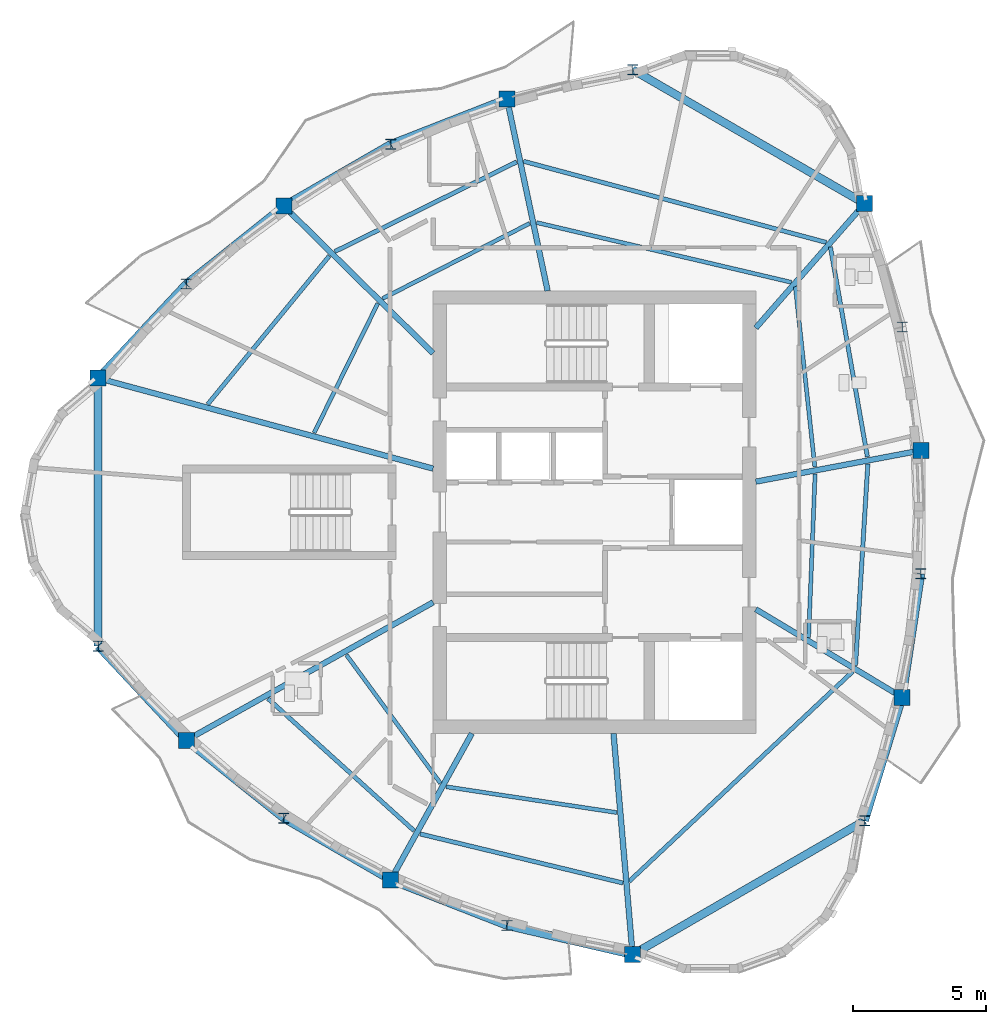
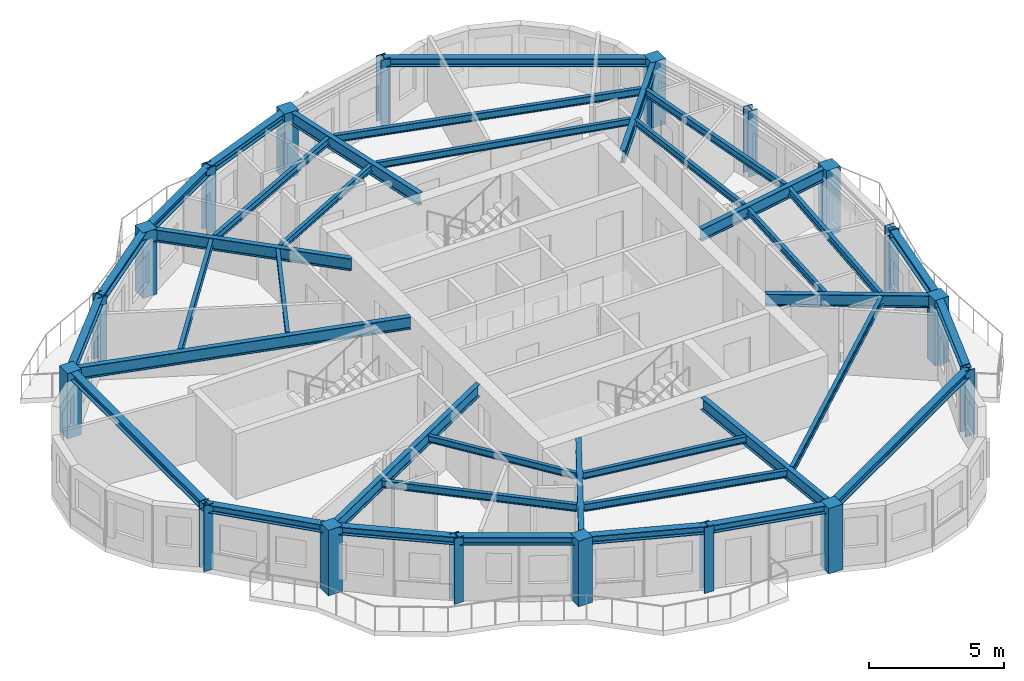
# One storey, part 1 of 12: 38 beams, 18 columns.
"""IFC4 building model written with IfcOpenShell, lengths in metres."""

from ifc_helpers import new_model, si_unit, direction, frame, origin, origin_2d, place, context, subcontext, project, spatial, rectangle, i_section, extrude, source, transform, mapped, material, material_profile, profile_set, type_object, element, save


model = new_model("IFC4")

# Units and contexts
model_context = context("Model", 3, precision=1e-05, world=origin(), true_north=direction((0.0, 1.0)))
body_context = subcontext(model_context, "Body", "Model", "MODEL_VIEW")
ifc_project = project(units=[si_unit("LENGTHUNIT", "METRE"), si_unit("AREAUNIT", "SQUARE_METRE"), si_unit("VOLUMEUNIT", "CUBIC_METRE"), si_unit("PLANEANGLEUNIT", "RADIAN"), si_unit("MASSUNIT", "GRAM", prefix="KILO")], contexts=[model_context])

# Site, building, storey
site_placement = place(None, origin())
site = spatial("IfcSite", under=ifc_project, at=site_placement, CompositionType="ELEMENT")
building_placement = place(site_placement, origin())
building = spatial("IfcBuilding", under=site, at=building_placement, Name="Qafzar Sky-Pleat Residences", CompositionType="ELEMENT")
storey_placement = place(building_placement, frame((0.0, 0.0, 198.800048828125)))
storey = spatial("IfcBuildingStorey", under=building, at=storey_placement, Name="L59", CompositionType="ELEMENT", Elevation=198.800048828125)

# Columns
ifc_material_1 = material(Name="Concrete C50/60", Category="concrete")
ifc_material_profile_1 = material_profile(ifc_material_1, rectangle(XDim=0.60009765625, YDim=0.60009765625, at=origin_2d()), Name="RC 600x600")
ifc_profile_set_1 = profile_set([ifc_material_profile_1], Name="Concrete C50/60")
column_type_1 = type_object("IfcColumnType", Name="COL-RC-600", PredefinedType="COLUMN", material=ifc_profile_set_1)
shared_shape_1 = source(origin(), body_context, "Body", "SweptSolid", [
    extrude(rectangle(XDim=0.60009765625, YDim=0.60009765625, at=origin_2d()), origin(), (0.0, 0.0, 1.0), 2.9599609375),
])
for number, where, z_axis, x_axis, name in (
    (1, (11.739990234375, 31.02294921875, 0.0), (0.0, 0.0, 1.0), (1.0, 0.0, 0.0), "L59 Perimeter Mega Column 1"),
    (2, (15.04443359375, 17.444580078125, 0.0), (0.0, 0.0, 1.0), (1.0, 0.0, 0.0), "L59 Perimeter Mega Column 3"),
    (3, (22.708740234375, 12.207275390625, 0.0), (0.0, 0.0, 1.0), (1.0, 0.0, 0.0), "L59 Perimeter Mega Column 5"),
    (4, (31.780029296875, 9.406982421875, 0.0), (0.0, 0.0, 1.0), (1.0, 0.0, 0.0), "L59 Perimeter Mega Column 7"),
    (5, (41.886962890625, 19.057861328125, 0.0), (0.0, 0.0, 1.0), (1.0, 0.0, 0.0), "L59 Perimeter Mega Column 9"),
    (6, (42.59033203125, 28.31396484375, 0.0), (0.0, 0.0, 1.0), (1.0, 0.0, 0.0), "L59 Perimeter Mega Column 11"),
    (7, (40.47998046875, 37.570068359375, 0.0), (0.0, 0.0, 1.0), (1.0, 0.0, 0.0), "L59 Perimeter Mega Column 13"),
    (8, (27.068603515625, 41.49755859375, 0.0), (0.0, 0.0, 1.0), (1.0, 0.0, 0.0), "L59 Perimeter Mega Column 15"),
    (9, (18.70068359375, 37.478515625, 0.0), (0.0, 0.0, 1.0), (1.0, 0.0, 0.0), "L59 Perimeter Mega Column 17"),
):
    element("IfcColumn", number, at=place(storey_placement, frame(where, z_axis=z_axis, x_axis=x_axis)), inside=storey, type_object=column_type_1, Name=name, PredefinedType="COLUMN", context=body_context, shape_type="MappedRepresentation", body=[
        mapped(shared_shape_1, transform((0.0, 0.0, 0.0), x_axis=(1.0, 0.0, 0.0), y_axis=(0.0, 1.0, 0.0), z_axis=(0.0, 0.0, 1.0), scale=1.0)),
    ])
ifc_material_2 = material(Name="Steel S355", Category="steel")
ifc_material_profile_2 = material_profile(ifc_material_2, i_section(OverallWidth=0.39794921875, OverallDepth=0.386962890625, WebThickness=0.01904296875, FlangeThickness=0.030029296875, FilletRadius=0.014892578125, at=origin_2d()), Name="HD 400x262")
ifc_profile_set_2 = profile_set([ifc_material_profile_2], Name="Steel S355")
column_type_2 = type_object("IfcColumnType", Name="COL-STL-HD262", PredefinedType="PILASTER", material=ifc_profile_set_2)
shared_shape_2 = source(origin(), body_context, "Body", "SweptSolid", [
    extrude(i_section(OverallWidth=0.39794921875, OverallDepth=0.386962890625, WebThickness=0.01904296875, FlangeThickness=0.030029296875, FilletRadius=0.014892578125, at=origin_2d()), origin(), (0.0, 0.0, 1.0), 2.9599609375),
])
for number, where, z_axis, x_axis, name in (
    (10, (11.739990234375, 20.97705078125, 0.0), (0.0, 0.0, 1.0), (1.0, 0.0, 0.0), "L59 Perimeter Mega Column 2"),
    (11, (18.70068359375, 14.521484375, 0.0), (0.0, 0.0, 1.0), (1.0, 0.0, 0.0), "L59 Perimeter Mega Column 4"),
    (12, (27.068603515625, 10.50244140625, 0.0), (0.0, 0.0, 1.0), (1.0, 0.0, 0.0), "L59 Perimeter Mega Column 6"),
    (13, (40.47998046875, 14.429931640625, 0.0), (0.0, 0.0, 1.0), (1.0, 0.0, 0.0), "L59 Perimeter Mega Column 8"),
    (14, (42.59033203125, 23.68603515625, 0.0), (0.0, 0.0, 1.0), (1.0, 0.0, 0.0), "L59 Perimeter Mega Column 10"),
    (15, (41.886962890625, 32.942138671875, 0.0), (0.0, 0.0, 1.0), (1.0, 0.0, 0.0), "L59 Perimeter Mega Column 12"),
    (16, (31.780029296875, 42.593017578125, 0.0), (0.0, 0.0, 1.0), (1.0, 0.0, 0.0), "L59 Perimeter Mega Column 14"),
    (17, (22.708740234375, 39.792724609375, 0.0), (0.0, 0.0, 1.0), (1.0, 0.0, 0.0), "L59 Perimeter Mega Column 16"),
    (18, (15.04443359375, 34.555419921875, 0.0), (0.0, 0.0, 1.0), (1.0, 0.0, 0.0), "L59 Perimeter Mega Column 18"),
):
    element("IfcColumn", number, at=place(storey_placement, frame(where, z_axis=z_axis, x_axis=x_axis)), inside=storey, type_object=column_type_2, Name=name, PredefinedType="PILASTER", context=body_context, shape_type="MappedRepresentation", body=[
        mapped(shared_shape_2, transform((0.0, 0.0, 0.0), x_axis=(1.0, 0.0, 0.0), y_axis=(0.0, 1.0, 0.0), z_axis=(0.0, 0.0, 1.0), scale=1.0)),
    ])

# Beams
ifc_material_profile_3 = material_profile(ifc_material_2, i_section(OverallWidth=0.300048828125, OverallDepth=0.360107421875, WebThickness=0.012451171875, FlangeThickness=0.0224609375, FilletRadius=0.027099609375, at=origin_2d()), Name="HEB 360")
ifc_profile_set_3 = profile_set([ifc_material_profile_3], Name="Steel S355")
beam_type_1 = type_object("IfcBeamType", Name="BM-SPAN-HEB360", PredefinedType="SPANDREL", material=ifc_profile_set_3)
shared_shape_3 = source(origin(), body_context, "Body", "SweptSolid", [
    extrude(i_section(OverallWidth=0.300048828125, OverallDepth=0.360107421875, WebThickness=0.012451171875, FlangeThickness=0.0224609375, FilletRadius=0.027099609375, at=origin_2d()), origin(), (0.0, 0.0, 1.0), 10.0458984375),
])
for number, where, z_axis, x_axis, name in (
    (19, (11.739990234375, 31.02294921875, 2.77783203125), (0.0, -1.0, 0.0), (1.0, 0.0, 0.0), "L59 Perimeter Spandrel Beam 1"),
    (20, (31.780029296875, 9.406982421875, 2.77783203125), (0.866024107753, 0.500002244785, 0.0), (-0.500002244785, 0.866024107753, 0.0), "L59 Perimeter Spandrel Beam 7"),
    (21, (40.47998046875, 37.570068359375, 2.77783203125), (-0.866024107753, 0.500002244785, 0.0), (-0.500002244785, -0.866024107753, 0.0), "L59 Perimeter Spandrel Beam 13"),
):
    element("IfcBeam", number, at=place(storey_placement, frame(where, z_axis=z_axis, x_axis=x_axis)), inside=storey, type_object=beam_type_1, Name=name, PredefinedType="SPANDREL", context=body_context, shape_type="MappedRepresentation", body=[
        mapped(shared_shape_3, transform((0.0, 0.0, 0.0), x_axis=(1.0, 0.0, 0.0), y_axis=(0.0, 1.0, 0.0), z_axis=(0.0, 0.0, 1.0), scale=1.0)),
    ])
shared_shape_4 = source(origin(), body_context, "Body", "SweptSolid", [
    extrude(i_section(OverallWidth=0.300048828125, OverallDepth=0.360107421875, WebThickness=0.012451171875, FlangeThickness=0.0224609375, FilletRadius=0.027099609375, at=origin_2d()), origin(), (0.0, 0.0, 1.0), 4.837158203125),
])
for number, where, z_axis, x_axis, name in (
    (22, (11.739990234375, 20.97705078125, 2.77783203125), (0.683143236152, -0.730284409596, 0.0), (0.730284409596, 0.683143236152, 0.0), "L59 Perimeter Spandrel Beam 2"),
    (23, (27.068603515625, 10.50244140625, 2.77783203125), (0.974018125748, -0.226470065822, 0.0), (0.226470065822, 0.974018125748, 0.0), "L59 Perimeter Spandrel Beam 6"),
    (24, (40.47998046875, 14.429931640625, 2.77783203125), (0.290874397057, 0.956761247719, 0.0), (-0.956761247719, 0.290874397057, 0.0), "L59 Perimeter Spandrel Beam 8"),
    (25, (15.04443359375, 34.555419921875, 2.77783203125), (-0.683143236152, -0.730284409596, 0.0), (0.730284409596, -0.683143236152, 0.0), "L59 Perimeter Spandrel Beam 18"),
):
    element("IfcBeam", number, at=place(storey_placement, frame(where, z_axis=z_axis, x_axis=x_axis)), inside=storey, type_object=beam_type_1, Name=name, PredefinedType="SPANDREL", context=body_context, shape_type="MappedRepresentation", body=[
        mapped(shared_shape_4, transform((0.0, 0.0, 0.0), x_axis=(1.0, 0.0, 0.0), y_axis=(0.0, 1.0, 0.0), z_axis=(0.0, 0.0, 1.0), scale=1.0)),
    ])
shared_shape_5 = source(origin(), body_context, "Body", "SweptSolid", [
    extrude(i_section(OverallWidth=0.300048828125, OverallDepth=0.360107421875, WebThickness=0.012451171875, FlangeThickness=0.0224609375, FilletRadius=0.027099609375, at=origin_2d()), origin(), (0.0, 0.0, 1.0), 4.68115234375),
])
for number, where, z_axis, x_axis, name in (
    (26, (15.04443359375, 17.444580078125, 2.77783203125), (0.781067211918, -0.624446963695, 0.0), (0.624446963695, 0.781067211918, 0.0), "L59 Perimeter Spandrel Beam 3"),
    (27, (18.70068359375, 37.478515625, 2.77783203125), (-0.781067211918, -0.624446963695, 0.0), (0.624446963695, -0.781067211918, 0.0), "L59 Perimeter Spandrel Beam 17"),
):
    element("IfcBeam", number, at=place(storey_placement, frame(where, z_axis=z_axis, x_axis=x_axis)), inside=storey, type_object=beam_type_1, Name=name, PredefinedType="SPANDREL", context=body_context, shape_type="MappedRepresentation", body=[
        mapped(shared_shape_5, transform((0.0, 0.0, 0.0), x_axis=(1.0, 0.0, 0.0), y_axis=(0.0, 1.0, 0.0), z_axis=(0.0, 0.0, 1.0), scale=1.0)),
    ])
shared_shape_6 = source(origin(), body_context, "Body", "SweptSolid", [
    extrude(i_section(OverallWidth=0.300048828125, OverallDepth=0.360107421875, WebThickness=0.012451171875, FlangeThickness=0.0224609375, FilletRadius=0.027099609375, at=origin_2d()), origin(), (0.0, 0.0, 1.0), 4.628173828125),
])
for number, where, z_axis, x_axis, name in (
    (28, (18.70068359375, 14.521484375, 2.77783203125), (0.866010770261, -0.500025345149, 0.0), (0.500025345149, 0.866010770261, 0.0), "L59 Perimeter Spandrel Beam 4"),
    (29, (22.708740234375, 39.792724609375, 2.77783203125), (-0.866010770261, -0.500025345149, 0.0), (0.500025345149, -0.866010770261, 0.0), "L59 Perimeter Spandrel Beam 16"),
):
    element("IfcBeam", number, at=place(storey_placement, frame(where, z_axis=z_axis, x_axis=x_axis)), inside=storey, type_object=beam_type_1, Name=name, PredefinedType="SPANDREL", context=body_context, shape_type="MappedRepresentation", body=[
        mapped(shared_shape_6, transform((0.0, 0.0, 0.0), x_axis=(1.0, 0.0, 0.0), y_axis=(0.0, 1.0, 0.0), z_axis=(0.0, 0.0, 1.0), scale=1.0)),
    ])
shared_shape_7 = source(origin(), body_context, "Body", "SweptSolid", [
    extrude(i_section(OverallWidth=0.300048828125, OverallDepth=0.360107421875, WebThickness=0.012451171875, FlangeThickness=0.0224609375, FilletRadius=0.027099609375, at=origin_2d()), origin(), (0.0, 0.0, 1.0), 4.681396484375),
])
for number, where, z_axis, x_axis, name in (
    (30, (22.708740234375, 12.207275390625, 2.77783203125), (0.931329701628, -0.36417713666, 0.0), (0.36417713666, 0.931329701628, 0.0), "L59 Perimeter Spandrel Beam 5"),
    (31, (41.886962890625, 19.057861328125, 2.77783203125), (0.150250295924, 0.988647990224, 0.0), (-0.988647990224, 0.150250295924, 0.0), "L59 Perimeter Spandrel Beam 9"),
    (32, (27.068603515625, 41.49755859375, 2.77783203125), (-0.931329701628, -0.36417713666, 0.0), (0.36417713666, -0.931329701628, 0.0), "L59 Perimeter Spandrel Beam 15"),
):
    element("IfcBeam", number, at=place(storey_placement, frame(where, z_axis=z_axis, x_axis=x_axis)), inside=storey, type_object=beam_type_1, Name=name, PredefinedType="SPANDREL", context=body_context, shape_type="MappedRepresentation", body=[
        mapped(shared_shape_7, transform((0.0, 0.0, 0.0), x_axis=(1.0, 0.0, 0.0), y_axis=(0.0, 1.0, 0.0), z_axis=(0.0, 0.0, 1.0), scale=1.0)),
    ])
ifc_material_profile_4 = material_profile(ifc_material_2, i_section(OverallWidth=0.2099609375, OverallDepth=0.550048828125, WebThickness=0.010986328125, FlangeThickness=0.01708984375, FilletRadius=0.02392578125, at=origin_2d()), Name="IPE 550")
ifc_profile_set_4 = profile_set([ifc_material_profile_4], Name="Steel S355")
beam_type_2 = type_object("IfcBeamType", Name="BM-SEC-IPE550", PredefinedType="BEAM", material=ifc_profile_set_4)
shared_shape_8 = source(origin(), body_context, "Body", "SweptSolid", [
    extrude(i_section(OverallWidth=0.2099609375, OverallDepth=0.550048828125, WebThickness=0.010986328125, FlangeThickness=0.01708984375, FilletRadius=0.02392578125, at=origin_2d()), origin(), (0.0, 0.0, 1.0), 13.009521484375),
])
beam_1_placement = place(storey_placement, frame((11.739990234375, 31.02294921875, 2.682861328125), z_axis=(0.965449953427, -0.260588540475, 0.0), x_axis=(0.260588540475, 0.965449953427, 0.0)))
element("IfcBeam", 33, at=beam_1_placement, inside=storey, type_object=beam_type_2, Name="L59 Radial Floor Girder 1", PredefinedType="BEAM", context=body_context, shape_type="MappedRepresentation", body=[
    mapped(shared_shape_8, transform((0.0, 0.0, 0.0), x_axis=(1.0, 0.0, 0.0), y_axis=(0.0, 1.0, 0.0), z_axis=(0.0, 0.0, 1.0), scale=1.0)),
])
shared_shape_9 = source(origin(), body_context, "Body", "SweptSolid", [
    extrude(i_section(OverallWidth=0.2099609375, OverallDepth=0.550048828125, WebThickness=0.010986328125, FlangeThickness=0.01708984375, FilletRadius=0.02392578125, at=origin_2d()), origin(), (0.0, 0.0, 1.0), 10.603515625),
])
beam_2_placement = place(storey_placement, frame((15.04443359375, 17.444580078125, 2.682861328125), z_axis=(0.872890126958, 0.487916823095, 0.0), x_axis=(-0.487916823095, 0.872890126958, 0.0)))
element("IfcBeam", 34, at=beam_2_placement, inside=storey, type_object=beam_type_2, Name="L59 Radial Floor Girder 3", PredefinedType="BEAM", context=body_context, shape_type="MappedRepresentation", body=[
    mapped(shared_shape_9, transform((0.0, 0.0, 0.0), x_axis=(1.0, 0.0, 0.0), y_axis=(0.0, 1.0, 0.0), z_axis=(0.0, 0.0, 1.0), scale=1.0)),
])
shared_shape_10 = source(origin(), body_context, "Body", "SweptSolid", [
    extrude(i_section(OverallWidth=0.2099609375, OverallDepth=0.550048828125, WebThickness=0.010986328125, FlangeThickness=0.01708984375, FilletRadius=0.02392578125, at=origin_2d()), origin(), (0.0, 0.0, 1.0), 6.279296875),
])
beam_3_placement = place(storey_placement, frame((22.708740234375, 12.207275390625, 2.682861328125), z_axis=(0.484606022079, 0.874732532472, 0.0), x_axis=(-0.874732532472, 0.484606022079, 0.0)))
element("IfcBeam", 35, at=beam_3_placement, inside=storey, type_object=beam_type_2, Name="L59 Radial Floor Girder 5", PredefinedType="BEAM", context=body_context, shape_type="MappedRepresentation", body=[
    mapped(shared_shape_10, transform((0.0, 0.0, 0.0), x_axis=(1.0, 0.0, 0.0), y_axis=(0.0, 1.0, 0.0), z_axis=(0.0, 0.0, 1.0), scale=1.0)),
])
shared_shape_11 = source(origin(), body_context, "Body", "SweptSolid", [
    extrude(i_section(OverallWidth=0.2099609375, OverallDepth=0.550048828125, WebThickness=0.010986328125, FlangeThickness=0.01708984375, FilletRadius=0.02392578125, at=origin_2d()), origin(), (0.0, 0.0, 1.0), 8.32373046875),
])
beam_4_placement = place(storey_placement, frame((31.780029296875, 9.406982421875, 2.682861328125), z_axis=(-0.085880310608, 0.996305461317, 0.0), x_axis=(-0.996305461317, -0.085880310608, 0.0)))
element("IfcBeam", 36, at=beam_4_placement, inside=storey, type_object=beam_type_2, Name="L59 Radial Floor Girder 7", PredefinedType="BEAM", context=body_context, shape_type="MappedRepresentation", body=[
    mapped(shared_shape_11, transform((0.0, 0.0, 0.0), x_axis=(1.0, 0.0, 0.0), y_axis=(0.0, 1.0, 0.0), z_axis=(0.0, 0.0, 1.0), scale=1.0)),
])
shared_shape_12 = source(origin(), body_context, "Body", "SweptSolid", [
    extrude(i_section(OverallWidth=0.2099609375, OverallDepth=0.550048828125, WebThickness=0.010986328125, FlangeThickness=0.01708984375, FilletRadius=0.02392578125, at=origin_2d()), origin(), (0.0, 0.0, 1.0), 6.40380859375),
])
beam_5_placement = place(storey_placement, frame((41.886962890625, 19.057861328125, 2.682861328125), z_axis=(-0.856836272207, 0.515588598235, 0.0), x_axis=(-0.515588598235, -0.856836272207, 0.0)))
element("IfcBeam", 37, at=beam_5_placement, inside=storey, type_object=beam_type_2, Name="L59 Radial Floor Girder 9", PredefinedType="BEAM", context=body_context, shape_type="MappedRepresentation", body=[
    mapped(shared_shape_12, transform((0.0, 0.0, 0.0), x_axis=(1.0, 0.0, 0.0), y_axis=(0.0, 1.0, 0.0), z_axis=(0.0, 0.0, 1.0), scale=1.0)),
])
shared_shape_13 = source(origin(), body_context, "Body", "SweptSolid", [
    extrude(i_section(OverallWidth=0.2099609375, OverallDepth=0.550048828125, WebThickness=0.010986328125, FlangeThickness=0.01708984375, FilletRadius=0.02392578125, at=origin_2d()), origin(), (0.0, 0.0, 1.0), 6.300048828125),
])
beam_6_placement = place(storey_placement, frame((42.59033203125, 28.31396484375, 2.682861328125), z_axis=(-0.982599120298, -0.185738980265, 0.0), x_axis=(0.185738980265, -0.982599120298, 0.0)))
element("IfcBeam", 38, at=beam_6_placement, inside=storey, type_object=beam_type_2, Name="L59 Radial Floor Girder 11", PredefinedType="BEAM", context=body_context, shape_type="MappedRepresentation", body=[
    mapped(shared_shape_13, transform((0.0, 0.0, 0.0), x_axis=(1.0, 0.0, 0.0), y_axis=(0.0, 1.0, 0.0), z_axis=(0.0, 0.0, 1.0), scale=1.0)),
])
shared_shape_14 = source(origin(), body_context, "Body", "SweptSolid", [
    extrude(i_section(OverallWidth=0.2099609375, OverallDepth=0.550048828125, WebThickness=0.010986328125, FlangeThickness=0.01708984375, FilletRadius=0.02392578125, at=origin_2d()), origin(), (0.0, 0.0, 1.0), 6.193603515625),
])
beam_7_placement = place(storey_placement, frame((40.47998046875, 37.570068359375, 2.682861328125), z_axis=(-0.658747358269, -0.752364218961, 0.0), x_axis=(0.752364218961, -0.658747358269, 0.0)))
element("IfcBeam", 39, at=beam_7_placement, inside=storey, type_object=beam_type_2, Name="L59 Radial Floor Girder 13", PredefinedType="BEAM", context=body_context, shape_type="MappedRepresentation", body=[
    mapped(shared_shape_14, transform((0.0, 0.0, 0.0), x_axis=(1.0, 0.0, 0.0), y_axis=(0.0, 1.0, 0.0), z_axis=(0.0, 0.0, 1.0), scale=1.0)),
])
shared_shape_15 = source(origin(), body_context, "Body", "SweptSolid", [
    extrude(i_section(OverallWidth=0.2099609375, OverallDepth=0.550048828125, WebThickness=0.010986328125, FlangeThickness=0.01708984375, FilletRadius=0.02392578125, at=origin_2d()), origin(), (0.0, 0.0, 1.0), 7.357177734375),
])
beam_8_placement = place(storey_placement, frame((27.068603515625, 41.49755859375, 2.682861328125), z_axis=(0.207137560617, -0.978311827068, 0.0), x_axis=(0.978311827068, 0.207137560617, 0.0)))
element("IfcBeam", 40, at=beam_8_placement, inside=storey, type_object=beam_type_2, Name="L59 Radial Floor Girder 15", PredefinedType="BEAM", context=body_context, shape_type="MappedRepresentation", body=[
    mapped(shared_shape_15, transform((0.0, 0.0, 0.0), x_axis=(1.0, 0.0, 0.0), y_axis=(0.0, 1.0, 0.0), z_axis=(0.0, 0.0, 1.0), scale=1.0)),
])
shared_shape_16 = source(origin(), body_context, "Body", "SweptSolid", [
    extrude(i_section(OverallWidth=0.2099609375, OverallDepth=0.550048828125, WebThickness=0.010986328125, FlangeThickness=0.01708984375, FilletRadius=0.02392578125, at=origin_2d()), origin(), (0.0, 0.0, 1.0), 7.86083984375),
])
beam_9_placement = place(storey_placement, frame((18.70068359375, 37.478515625, 2.682861328125), z_axis=(0.712320728381, -0.70185410159, 0.0), x_axis=(0.70185410159, 0.712320728381, 0.0)))
element("IfcBeam", 41, at=beam_9_placement, inside=storey, type_object=beam_type_2, Name="L59 Radial Floor Girder 17", PredefinedType="BEAM", context=body_context, shape_type="MappedRepresentation", body=[
    mapped(shared_shape_16, transform((0.0, 0.0, 0.0), x_axis=(1.0, 0.0, 0.0), y_axis=(0.0, 1.0, 0.0), z_axis=(0.0, 0.0, 1.0), scale=1.0)),
])
ifc_material_profile_5 = material_profile(ifc_material_2, i_section(OverallWidth=0.159912109375, OverallDepth=0.330078125, WebThickness=0.007568359375, FlangeThickness=0.011474609375, FilletRadius=0.01806640625, at=origin_2d()), Name="IPE 330")
ifc_profile_set_5 = profile_set([ifc_material_profile_5], Name="Steel S355")
beam_type_3 = type_object("IfcBeamType", Name="BM-JST-IPE330", PredefinedType="JOIST", material=ifc_profile_set_5)
shared_shape_17 = source(origin(), body_context, "Body", "SweptSolid", [
    extrude(i_section(OverallWidth=0.159912109375, OverallDepth=0.330078125, WebThickness=0.007568359375, FlangeThickness=0.011474609375, FilletRadius=0.01806640625, at=origin_2d()), origin(), (0.0, 0.0, 1.0), 7.384521484375),
])
beam_10_placement = place(storey_placement, frame((18.1064453125, 19.009521484375, 2.79296875), z_axis=(0.741565541832, -0.670880426877, 0.0), x_axis=(0.670880426877, 0.741565541832, 0.0)))
element("IfcBeam", 42, at=beam_10_placement, inside=storey, type_object=beam_type_3, Name="L59 Outer Secondary Floor Joist 2", PredefinedType="JOIST", context=body_context, shape_type="MappedRepresentation", body=[
    mapped(shared_shape_17, transform((0.0, 0.0, 0.0), x_axis=(1.0, 0.0, 0.0), y_axis=(0.0, 1.0, 0.0), z_axis=(0.0, 0.0, 1.0), scale=1.0)),
])
shared_shape_18 = source(origin(), body_context, "Body", "SweptSolid", [
    extrude(i_section(OverallWidth=0.159912109375, OverallDepth=0.330078125, WebThickness=0.007568359375, FlangeThickness=0.011474609375, FilletRadius=0.01806640625, at=origin_2d()), origin(), (0.0, 0.0, 1.0), 7.825927734375),
])
beam_11_placement = place(storey_placement, frame((23.813720703125, 13.93310546875, 2.79296875), z_axis=(0.971949803175, -0.235188392802, 0.0), x_axis=(0.235188392802, 0.971949803175, 0.0)))
element("IfcBeam", 43, at=beam_11_placement, inside=storey, type_object=beam_type_3, Name="L59 Outer Secondary Floor Joist 3", PredefinedType="JOIST", context=body_context, shape_type="MappedRepresentation", body=[
    mapped(shared_shape_18, transform((0.0, 0.0, 0.0), x_axis=(1.0, 0.0, 0.0), y_axis=(0.0, 1.0, 0.0), z_axis=(0.0, 0.0, 1.0), scale=1.0)),
])
shared_shape_19 = source(origin(), body_context, "Body", "SweptSolid", [
    extrude(i_section(OverallWidth=0.159912109375, OverallDepth=0.330078125, WebThickness=0.007568359375, FlangeThickness=0.011474609375, FilletRadius=0.01806640625, at=origin_2d()), origin(), (0.0, 0.0, 1.0), 11.49755859375),
])
beam_12_placement = place(storey_placement, frame((31.649658203125, 12.1533203125, 2.79296875), z_axis=(0.729123199787, 0.684382465828, 0.0), x_axis=(-0.684382465828, 0.729123199787, 0.0)))
element("IfcBeam", 44, at=beam_12_placement, inside=storey, type_object=beam_type_3, Name="L59 Outer Secondary Floor Joist 4", PredefinedType="JOIST", context=body_context, shape_type="MappedRepresentation", body=[
    mapped(shared_shape_19, transform((0.0, 0.0, 0.0), x_axis=(1.0, 0.0, 0.0), y_axis=(0.0, 1.0, 0.0), z_axis=(0.0, 0.0, 1.0), scale=1.0)),
])
shared_shape_20 = source(origin(), body_context, "Body", "SweptSolid", [
    extrude(i_section(OverallWidth=0.159912109375, OverallDepth=0.330078125, WebThickness=0.007568359375, FlangeThickness=0.011474609375, FilletRadius=0.01806640625, at=origin_2d()), origin(), (0.0, 0.0, 1.0), 7.569580078125),
])
beam_13_placement = place(storey_placement, frame((40.139404296875, 20.249267578125, 2.79296875), z_axis=(0.061022845874, 0.998136369582, 0.0), x_axis=(-0.998136369582, 0.061022845874, 0.0)))
element("IfcBeam", 45, at=beam_13_placement, inside=storey, type_object=beam_type_3, Name="L59 Outer Secondary Floor Joist 5", PredefinedType="JOIST", context=body_context, shape_type="MappedRepresentation", body=[
    mapped(shared_shape_20, transform((0.0, 0.0, 0.0), x_axis=(1.0, 0.0, 0.0), y_axis=(0.0, 1.0, 0.0), z_axis=(0.0, 0.0, 1.0), scale=1.0)),
])
shared_shape_21 = source(origin(), body_context, "Body", "SweptSolid", [
    extrude(i_section(OverallWidth=0.159912109375, OverallDepth=0.330078125, WebThickness=0.007568359375, FlangeThickness=0.011474609375, FilletRadius=0.01806640625, at=origin_2d()), origin(), (0.0, 0.0, 1.0), 7.994873046875),
])
beam_14_placement = place(storey_placement, frame((40.5859375, 28.072509765625, 2.79296875), z_axis=(-0.173632033155, 0.984810599589, 0.0), x_axis=(-0.984810599589, -0.173632033155, 0.0)))
element("IfcBeam", 46, at=beam_14_placement, inside=storey, type_object=beam_type_3, Name="L59 Outer Secondary Floor Joist 6", PredefinedType="JOIST", context=body_context, shape_type="MappedRepresentation", body=[
    mapped(shared_shape_21, transform((0.0, 0.0, 0.0), x_axis=(1.0, 0.0, 0.0), y_axis=(0.0, 1.0, 0.0), z_axis=(0.0, 0.0, 1.0), scale=1.0)),
])
shared_shape_22 = source(origin(), body_context, "Body", "SweptSolid", [
    extrude(i_section(OverallWidth=0.159912109375, OverallDepth=0.330078125, WebThickness=0.007568359375, FlangeThickness=0.011474609375, FilletRadius=0.01806640625, at=origin_2d()), origin(), (0.0, 0.0, 1.0), 11.758544921875),
])
beam_15_placement = place(storey_placement, frame((39.0439453125, 36.114013671875, 2.79296875), z_axis=(-0.965884269776, 0.258974086348, 0.0), x_axis=(-0.258974086348, -0.965884269776, 0.0)))
element("IfcBeam", 47, at=beam_15_placement, inside=storey, type_object=beam_type_3, Name="L59 Outer Secondary Floor Joist 7", PredefinedType="JOIST", context=body_context, shape_type="MappedRepresentation", body=[
    mapped(shared_shape_22, transform((0.0, 0.0, 0.0), x_axis=(1.0, 0.0, 0.0), y_axis=(0.0, 1.0, 0.0), z_axis=(0.0, 0.0, 1.0), scale=1.0)),
])
shared_shape_23 = source(origin(), body_context, "Body", "SweptSolid", [
    extrude(i_section(OverallWidth=0.159912109375, OverallDepth=0.330078125, WebThickness=0.007568359375, FlangeThickness=0.011474609375, FilletRadius=0.01806640625, at=origin_2d()), origin(), (0.0, 0.0, 1.0), 7.60498046875),
])
beam_16_placement = place(storey_placement, frame((27.43505859375, 39.134521484375, 2.79296875), z_axis=(-0.896987020622, -0.442056879638, 0.0), x_axis=(0.442056879638, -0.896987020622, 0.0)))
element("IfcBeam", 48, at=beam_16_placement, inside=storey, type_object=beam_type_3, Name="L59 Outer Secondary Floor Joist 8", PredefinedType="JOIST", context=body_context, shape_type="MappedRepresentation", body=[
    mapped(shared_shape_23, transform((0.0, 0.0, 0.0), x_axis=(1.0, 0.0, 0.0), y_axis=(0.0, 1.0, 0.0), z_axis=(0.0, 0.0, 1.0), scale=1.0)),
])
shared_shape_24 = source(origin(), body_context, "Body", "SweptSolid", [
    extrude(i_section(OverallWidth=0.159912109375, OverallDepth=0.330078125, WebThickness=0.007568359375, FlangeThickness=0.011474609375, FilletRadius=0.01806640625, at=origin_2d()), origin(), (0.0, 0.0, 1.0), 7.197021484375),
])
beam_17_placement = place(storey_placement, frame((20.406982421875, 35.608642578125, 2.79296875), z_axis=(-0.633913651729, -0.773403828638, 0.0), x_axis=(0.773403828638, -0.633913651729, 0.0)))
element("IfcBeam", 49, at=beam_17_placement, inside=storey, type_object=beam_type_3, Name="L59 Outer Secondary Floor Joist 9", PredefinedType="JOIST", context=body_context, shape_type="MappedRepresentation", body=[
    mapped(shared_shape_24, transform((0.0, 0.0, 0.0), x_axis=(1.0, 0.0, 0.0), y_axis=(0.0, 1.0, 0.0), z_axis=(0.0, 0.0, 1.0), scale=1.0)),
])
ifc_material_profile_6 = material_profile(ifc_material_2, i_section(OverallWidth=0.14990234375, OverallDepth=0.300048828125, WebThickness=0.007080078125, FlangeThickness=0.0107421875, FilletRadius=0.014892578125, at=origin_2d()), Name="IPE 300")
ifc_profile_set_6 = profile_set([ifc_material_profile_6], Name="Steel S355")
beam_type_4 = type_object("IfcBeamType", Name="BM-JST-IPE300", PredefinedType="JOIST", material=ifc_profile_set_6)
shared_shape_25 = source(origin(), body_context, "Body", "SweptSolid", [
    extrude(i_section(OverallWidth=0.14990234375, OverallDepth=0.300048828125, WebThickness=0.007080078125, FlangeThickness=0.0107421875, FilletRadius=0.014892578125, at=origin_2d()), origin(), (0.0, 0.0, 1.0), 5.9697265625),
])
beam_18_placement = place(storey_placement, frame((21.0478515625, 20.646728515625, 2.807861328125), z_axis=(0.591083495716, -0.806610377501, 0.0), x_axis=(0.806610377501, 0.591083495716, 0.0)))
element("IfcBeam", 50, at=beam_18_placement, inside=storey, type_object=beam_type_4, Name="L59 Inner Secondary Floor Joist 2", PredefinedType="JOIST", context=body_context, shape_type="MappedRepresentation", body=[
    mapped(shared_shape_25, transform((0.0, 0.0, 0.0), x_axis=(1.0, 0.0, 0.0), y_axis=(0.0, 1.0, 0.0), z_axis=(0.0, 0.0, 1.0), scale=1.0)),
])
shared_shape_26 = source(origin(), body_context, "Body", "SweptSolid", [
    extrude(i_section(OverallWidth=0.14990234375, OverallDepth=0.300048828125, WebThickness=0.007080078125, FlangeThickness=0.0107421875, FilletRadius=0.014892578125, at=origin_2d()), origin(), (0.0, 0.0, 1.0), 6.47216796875),
])
beam_19_placement = place(storey_placement, frame((24.789794921875, 15.702392578125, 2.807861328125), z_axis=(0.988757453477, -0.149528252159, 0.0), x_axis=(0.149528252159, 0.988757453477, 0.0)))
element("IfcBeam", 51, at=beam_19_placement, inside=storey, type_object=beam_type_4, Name="L59 Inner Secondary Floor Joist 3", PredefinedType="JOIST", context=body_context, shape_type="MappedRepresentation", body=[
    mapped(shared_shape_26, transform((0.0, 0.0, 0.0), x_axis=(1.0, 0.0, 0.0), y_axis=(0.0, 1.0, 0.0), z_axis=(0.0, 0.0, 1.0), scale=1.0)),
])
shared_shape_27 = source(origin(), body_context, "Body", "SweptSolid", [
    extrude(i_section(OverallWidth=0.14990234375, OverallDepth=0.300048828125, WebThickness=0.007080078125, FlangeThickness=0.0107421875, FilletRadius=0.014892578125, at=origin_2d()), origin(), (0.0, 0.0, 1.0), 6.129150390625),
])
beam_20_placement = place(storey_placement, frame((38.380615234375, 21.305908203125, 2.807861328125), z_axis=(0.039594201598, 0.999215842148, 0.0), x_axis=(-0.999215842148, 0.039594201598, 0.0)))
element("IfcBeam", 52, at=beam_20_placement, inside=storey, type_object=beam_type_4, Name="L59 Inner Secondary Floor Joist 5", PredefinedType="JOIST", context=body_context, shape_type="MappedRepresentation", body=[
    mapped(shared_shape_27, transform((0.0, 0.0, 0.0), x_axis=(1.0, 0.0, 0.0), y_axis=(0.0, 1.0, 0.0), z_axis=(0.0, 0.0, 1.0), scale=1.0)),
])
shared_shape_28 = source(origin(), body_context, "Body", "SweptSolid", [
    extrude(i_section(OverallWidth=0.14990234375, OverallDepth=0.300048828125, WebThickness=0.007080078125, FlangeThickness=0.0107421875, FilletRadius=0.014892578125, at=origin_2d()), origin(), (0.0, 0.0, 1.0), 6.793701171875),
])
beam_21_placement = place(storey_placement, frame((38.614013671875, 27.69921875, 2.807861328125), z_axis=(-0.107555763992, 0.994199053325, 0.0), x_axis=(-0.994199053325, -0.107555763992, 0.0)))
element("IfcBeam", 53, at=beam_21_placement, inside=storey, type_object=beam_type_4, Name="L59 Inner Secondary Floor Joist 6", PredefinedType="JOIST", context=body_context, shape_type="MappedRepresentation", body=[
    mapped(shared_shape_28, transform((0.0, 0.0, 0.0), x_axis=(1.0, 0.0, 0.0), y_axis=(0.0, 1.0, 0.0), z_axis=(0.0, 0.0, 1.0), scale=1.0)),
])
shared_shape_29 = source(origin(), body_context, "Body", "SweptSolid", [
    extrude(i_section(OverallWidth=0.14990234375, OverallDepth=0.300048828125, WebThickness=0.007080078125, FlangeThickness=0.0107421875, FilletRadius=0.014892578125, at=origin_2d()), origin(), (0.0, 0.0, 1.0), 9.8212890625),
])
beam_22_placement = place(storey_placement, frame((37.7373046875, 34.618408203125, 2.807861328125), z_axis=(-0.973597150025, 0.228273058997, 0.0), x_axis=(-0.228273058997, -0.973597150025, 0.0)))
element("IfcBeam", 54, at=beam_22_placement, inside=storey, type_object=beam_type_4, Name="L59 Inner Secondary Floor Joist 7", PredefinedType="JOIST", context=body_context, shape_type="MappedRepresentation", body=[
    mapped(shared_shape_29, transform((0.0, 0.0, 0.0), x_axis=(1.0, 0.0, 0.0), y_axis=(0.0, 1.0, 0.0), z_axis=(0.0, 0.0, 1.0), scale=1.0)),
])
shared_shape_30 = source(origin(), body_context, "Body", "SweptSolid", [
    extrude(i_section(OverallWidth=0.14990234375, OverallDepth=0.300048828125, WebThickness=0.007080078125, FlangeThickness=0.0107421875, FilletRadius=0.014892578125, at=origin_2d()), origin(), (0.0, 0.0, 1.0), 6.197998046875),
])
beam_23_placement = place(storey_placement, frame((27.923583984375, 36.82958984375, 2.807861328125), z_axis=(-0.890453481976, -0.455074275735, 0.0), x_axis=(0.455074275735, -0.890453481976, 0.0)))
element("IfcBeam", 55, at=beam_23_placement, inside=storey, type_object=beam_type_4, Name="L59 Inner Secondary Floor Joist 8", PredefinedType="JOIST", context=body_context, shape_type="MappedRepresentation", body=[
    mapped(shared_shape_30, transform((0.0, 0.0, 0.0), x_axis=(1.0, 0.0, 0.0), y_axis=(0.0, 1.0, 0.0), z_axis=(0.0, 0.0, 1.0), scale=1.0)),
])
shared_shape_31 = source(origin(), body_context, "Body", "SweptSolid", [
    extrude(i_section(OverallWidth=0.14990234375, OverallDepth=0.300048828125, WebThickness=0.007080078125, FlangeThickness=0.0107421875, FilletRadius=0.014892578125, at=origin_2d()), origin(), (0.0, 0.0, 1.0), 5.4072265625),
])
beam_24_placement = place(storey_placement, frame((22.224609375, 33.826416015625, 2.807861328125), z_axis=(-0.441388791387, -0.897315961542, 0.0), x_axis=(0.897315961542, -0.441388791387, 0.0)))
element("IfcBeam", 56, at=beam_24_placement, inside=storey, type_object=beam_type_4, Name="L59 Inner Secondary Floor Joist 9", PredefinedType="JOIST", context=body_context, shape_type="MappedRepresentation", body=[
    mapped(shared_shape_31, transform((0.0, 0.0, 0.0), x_axis=(1.0, 0.0, 0.0), y_axis=(0.0, 1.0, 0.0), z_axis=(0.0, 0.0, 1.0), scale=1.0)),
])

save(model, "model.ifc")
